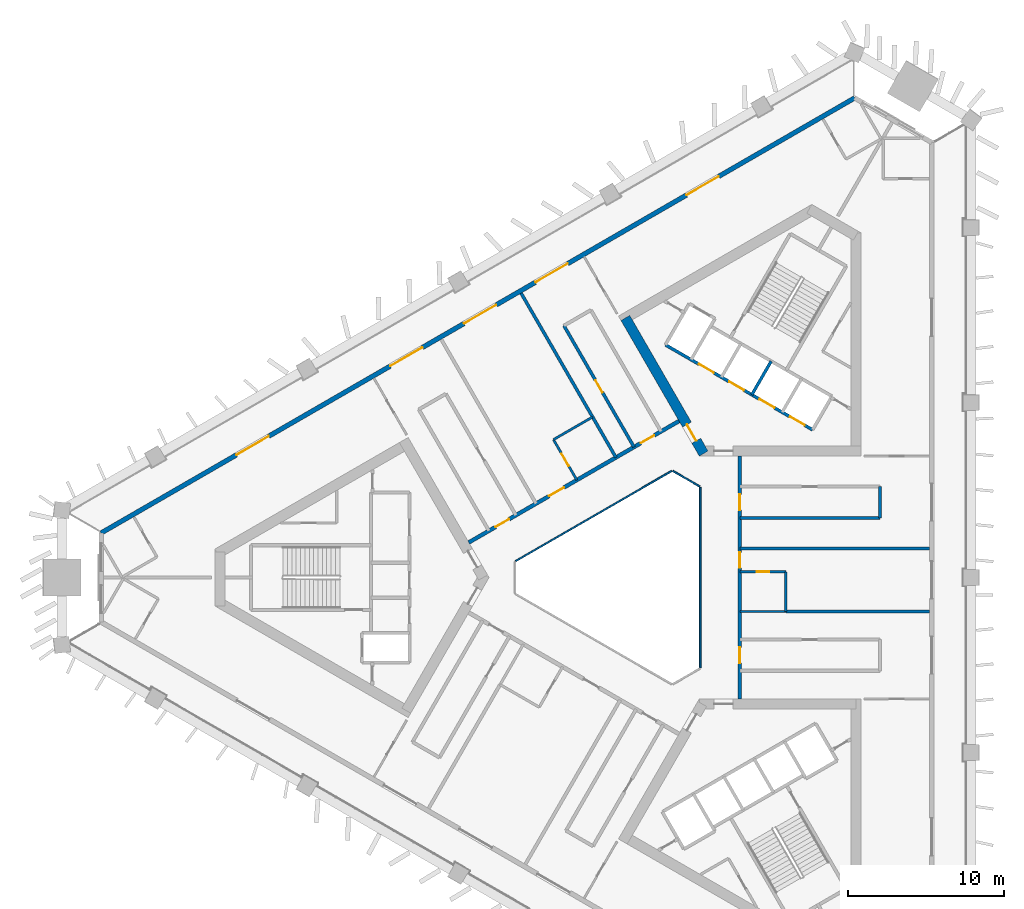
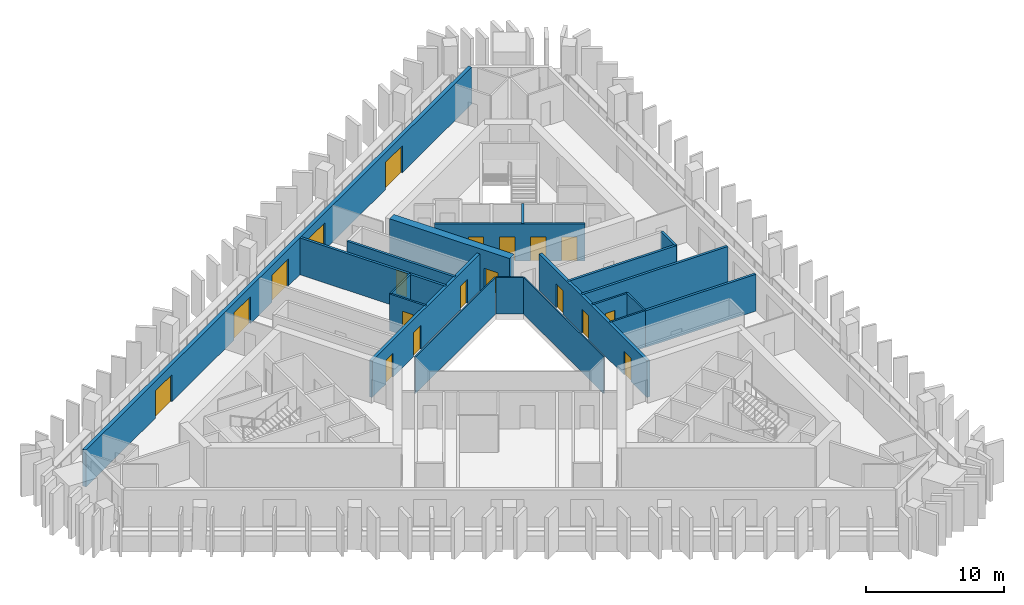
# One storey, part 5 of 11: 20 walls, 19 doors, 19 openings.
"""IFC4 building model written with IfcOpenShell, lengths in metres."""

from ifc_helpers import new_model, si_unit, direction, frame, frame_2d, origin, place, context, subcontext, project, spatial, rectangle, extrude, material, layer, layer_set, type_object, element, fill, save


model = new_model("IFC4")

# Units and contexts
model_context = context("Model", 3, precision=1e-05, world=origin(), true_north=direction((0.0, 1.0)))
body_context = subcontext(model_context, "Body", "Model", "MODEL_VIEW")
ifc_project = project(units=[si_unit("LENGTHUNIT", "METRE"), si_unit("AREAUNIT", "SQUARE_METRE"), si_unit("VOLUMEUNIT", "CUBIC_METRE"), si_unit("PLANEANGLEUNIT", "RADIAN"), si_unit("MASSUNIT", "GRAM", prefix="KILO")], contexts=[model_context])

# Site, building, storey
site_placement = place(None, origin())
site = spatial("IfcSite", under=ifc_project, at=site_placement, CompositionType="ELEMENT")
building_placement = place(site_placement, origin())
building = spatial("IfcBuilding", under=site, at=building_placement, Name="Jabali Bay Hotel Tower and Convention Centre", CompositionType="ELEMENT")
storey_placement = place(building_placement, frame((0.0, 0.0, 132.699951171875)))
storey = spatial("IfcBuildingStorey", under=building, at=storey_placement, Name="L32", CompositionType="ELEMENT", Elevation=132.699951171875)

# Walls
ifc_material_1 = material(Name="Fire-resistant glazing", Category="glass")
ifc_layer_1 = layer(ifc_material_1, 0.10009765625)
ifc_layer_set_1 = layer_set([ifc_layer_1], Name="Fire-resistant glazing")
wall_type_1 = type_object("IfcWallType", Name="Atrium glazed screen 100", PredefinedType="PARTITIONING", material=ifc_layer_set_1)
wall_1_placement = place(storey_placement, frame((79.56005859375, 74.205810546875, 0.0), z_axis=(0.0, 0.0, 1.0), x_axis=(0.0, 1.0, 0.0)))
element("IfcWall", 1, at=wall_1_placement, inside=storey, type_object=wall_type_1, Name="Atrium screen 1 L32", PredefinedType="PARTITIONING", context=body_context, shape_type="SweptSolid", body=[
    extrude(rectangle(XDim=11.58837890625, YDim=0.10009765625, at=frame_2d((5.794189453125, 0.0))), origin(), (0.0, 0.0, 1.0), 3.25),
])
wall_2_placement = place(storey_placement, frame((79.530029296875, 85.84619140625, 0.0), z_axis=(0.0, 0.0, 1.0), x_axis=(-0.866041268327, 0.499972520799, 0.0)))
element("IfcWall", 2, at=wall_2_placement, inside=storey, type_object=wall_type_1, Name="Atrium screen 2 L32", PredefinedType="PARTITIONING", context=body_context, shape_type="SweptSolid", body=[
    extrude(rectangle(XDim=2.0, YDim=0.10009765625, at=frame_2d((1.0, 0.0))), origin(), (0.0, 0.0, 1.0), 3.25),
])
wall_3_placement = place(storey_placement, frame((77.738037109375, 86.84619140625, 0.0), z_axis=(0.0, 0.0, 1.0), x_axis=(-0.866026658274, -0.499997827154, 0.0)))
element("IfcWall", 3, at=wall_3_placement, inside=storey, type_object=wall_type_1, Name="Atrium screen 3 L32", PredefinedType="PARTITIONING", context=body_context, shape_type="SweptSolid", body=[
    extrude(rectangle(XDim=11.58837890625, YDim=0.10009765625, at=frame_2d((5.794189453125, 0.0))), origin(), (0.0, 0.0, 1.0), 3.25),
])
ifc_material_2 = material(Name="Concrete C40", Category="concrete")
ifc_layer_2 = layer(ifc_material_2, 0.199951171875)
ifc_layer_set_2 = layer_set([ifc_layer_2], Name="Concrete C40")
wall_type_2 = type_object("IfcWallType", Name="Core stair wall 200", PredefinedType="SOLIDWALL", material=ifc_layer_set_2)
wall_4_placement = place(storey_placement, frame((82.872802734375, 91.73583984375, 0.0), z_axis=(0.0, 0.0, 1.0), x_axis=(0.499961042966, 0.86604789447, 0.0)))
element("IfcWall", 4, at=wall_4_placement, inside=storey, type_object=wall_type_2, Name="Core wall 1.4 L32", PredefinedType="SOLIDWALL", context=body_context, shape_type="SweptSolid", body=[
    extrude(rectangle(XDim=2.480224609375, YDim=0.199951171875, at=frame_2d((1.240234375, 0.0))), origin(), (0.0, 0.0, 1.0), 3.25),
])

# Wall, openings, doors
wall_5_placement = place(storey_placement, frame((86.769775390625, 89.48583984375, 0.0), z_axis=(0.0, 0.0, 1.0), x_axis=(-0.86601811187, 0.500012629753, 0.0)))
wall_5 = element("IfcWall", 5, at=wall_5_placement, inside=storey, type_object=wall_type_2, Name="Core wall 1.10 L32", PredefinedType="SOLIDWALL", context=body_context, shape_type="SweptSolid", body=[
    extrude(rectangle(XDim=10.900146484375, YDim=0.199951171875, at=frame_2d((5.4501953125, 0.0))), origin(), (0.0, 0.0, 1.0), 3.25),
])
opening_1_placement = place(wall_5_placement, frame((0.574951171875, 0.0, 0.0)))
opening_1 = element("IfcOpeningElement", 6, at=opening_1_placement, cuts=wall_5, Name="Opening LD6-L32", PredefinedType="OPENING", context=body_context, shape_type="SweptSolid", body=[
    extrude(rectangle(XDim=1.10009765625, YDim=2.10009765625, at=frame_2d((0.550048828125, 1.050048828125))), frame((0.0, 0.1103515625, 0.0), z_axis=(0.0, -1.0, 0.0), x_axis=(1.0, 0.0, 0.0)), (0.0, 0.0, 1.0), 0.220947265625),
])
opening_2_placement = place(wall_5_placement, frame((2.824951171875, 0.0, 0.0)))
opening_2 = element("IfcOpeningElement", 7, at=opening_2_placement, cuts=wall_5, Name="Opening LD7-L32", PredefinedType="OPENING", context=body_context, shape_type="SweptSolid", body=[
    extrude(rectangle(XDim=1.10009765625, YDim=2.10009765625, at=frame_2d((0.550048828125, 1.050048828125))), frame((0.0, 0.1103515625, 0.0), z_axis=(0.0, -1.0, 0.0), x_axis=(1.0, 0.0, 0.0)), (0.0, 0.0, 1.0), 0.220947265625),
])
opening_3_placement = place(wall_5_placement, frame((5.074951171875, 0.0, 0.0)))
opening_3 = element("IfcOpeningElement", 8, at=opening_3_placement, cuts=wall_5, Name="Opening LD8-L32", PredefinedType="OPENING", context=body_context, shape_type="SweptSolid", body=[
    extrude(rectangle(XDim=1.10009765625, YDim=2.10009765625, at=frame_2d((0.550048828125, 1.050048828125))), frame((0.0, 0.1103515625, 0.0), z_axis=(0.0, -1.0, 0.0), x_axis=(1.0, 0.0, 0.0)), (0.0, 0.0, 1.0), 0.220947265625),
])
opening_4_placement = place(wall_5_placement, frame((7.324951171875, 0.0, 0.0)))
opening_4 = element("IfcOpeningElement", 9, at=opening_4_placement, cuts=wall_5, Name="Opening LD9-L32", PredefinedType="OPENING", context=body_context, shape_type="SweptSolid", body=[
    extrude(rectangle(XDim=1.10009765625, YDim=2.10009765625, at=frame_2d((0.550048828125, 1.050048828125))), frame((0.0, 0.1103515625, 0.0), z_axis=(0.0, -1.0, 0.0), x_axis=(1.0, 0.0, 0.0)), (0.0, 0.0, 1.0), 0.220947265625),
])
ifc_material_3 = material(Name="Stainless steel landing door", Category="steel")
door_type_1 = type_object("IfcDoorType", Name="Landing door 1100 x 2100", OperationType="NOTDEFINED", PredefinedType="NOTDEFINED", material=ifc_material_3)
door_1_placement = place(opening_1_placement, origin())
door_1 = element("IfcDoor", 10, at=door_1_placement, inside=storey, type_object=door_type_1, Name="Landing doors LD6-L32", OperationType="SLIDING_TO_RIGHT", OverallHeight=2.10009765625, OverallWidth=1.10009765625, PredefinedType="NOTDEFINED", context=body_context, shape_type="SweptSolid", body=[
    extrude(rectangle(XDim=1.10009765625, YDim=2.10009765625, at=frame_2d((0.550048828125, 1.050048828125))), frame((0.0, 0.02490234375, 0.0), z_axis=(0.0, -1.0, 0.0), x_axis=(1.0, 0.0, 0.0)), (0.0, 0.0, 1.0), 0.050048828125),
])
fill(opening_1, door_1)
door_2_placement = place(opening_2_placement, origin())
door_2 = element("IfcDoor", 11, at=door_2_placement, inside=storey, type_object=door_type_1, Name="Landing doors LD7-L32", OperationType="SLIDING_TO_LEFT", OverallHeight=2.10009765625, OverallWidth=1.10009765625, PredefinedType="NOTDEFINED", context=body_context, shape_type="SweptSolid", body=[
    extrude(rectangle(XDim=1.10009765625, YDim=2.10009765625, at=frame_2d((0.550048828125, 1.050048828125))), frame((0.0, 0.02490234375, 0.0), z_axis=(0.0, -1.0, 0.0), x_axis=(1.0, 0.0, 0.0)), (0.0, 0.0, 1.0), 0.050048828125),
])
fill(opening_2, door_2)
door_3_placement = place(opening_3_placement, origin())
door_3 = element("IfcDoor", 12, at=door_3_placement, inside=storey, type_object=door_type_1, Name="Landing doors LD8-L32", OperationType="SLIDING_TO_RIGHT", OverallHeight=2.10009765625, OverallWidth=1.10009765625, PredefinedType="NOTDEFINED", context=body_context, shape_type="SweptSolid", body=[
    extrude(rectangle(XDim=1.10009765625, YDim=2.10009765625, at=frame_2d((0.550048828125, 1.050048828125))), frame((0.0, 0.02490234375, 0.0), z_axis=(0.0, -1.0, 0.0), x_axis=(1.0, 0.0, 0.0)), (0.0, 0.0, 1.0), 0.050048828125),
])
fill(opening_3, door_3)
door_4_placement = place(opening_4_placement, origin())
door_4 = element("IfcDoor", 13, at=door_4_placement, inside=storey, type_object=door_type_1, Name="Landing doors LD9-L32", OperationType="SLIDING_TO_LEFT", OverallHeight=2.10009765625, OverallWidth=1.10009765625, PredefinedType="NOTDEFINED", context=body_context, shape_type="SweptSolid", body=[
    extrude(rectangle(XDim=1.10009765625, YDim=2.10009765625, at=frame_2d((0.550048828125, 1.050048828125))), frame((0.0, 0.02490234375, 0.0), z_axis=(0.0, -1.0, 0.0), x_axis=(1.0, 0.0, 0.0)), (0.0, 0.0, 1.0), 0.050048828125),
])
fill(opening_4, door_4)

# Wall, opening, door
ifc_material_4 = material(Name="Concrete C60", Category="concrete")
ifc_layer_3 = layer(ifc_material_4, 0.64990234375)
ifc_layer_set_3 = layer_set([ifc_layer_3], Name="Concrete C60")
wall_type_3 = type_object("IfcWallType", Name="Core wall 650", PredefinedType="SHEAR", material=ifc_layer_set_3)
wall_6_placement = place(storey_placement, frame((74.75390625, 96.66455078125, 0.0), z_axis=(0.0, 0.0, 1.0), x_axis=(0.500011799426, -0.866018591275, 0.0)))
wall_6 = element("IfcWall", 14, at=wall_6_placement, inside=storey, type_object=wall_type_3, Name="Core wall 2.5 L32", PredefinedType="SHEAR", context=body_context, shape_type="SweptSolid", body=[
    extrude(rectangle(XDim=10.054931640625, YDim=0.64990234375, at=frame_2d((5.02734375, 0.0))), origin(), (0.0, 0.0, 1.0), 3.699951171875),
])
opening_5_placement = place(wall_6_placement, frame((7.905029296875, 0.0, 0.0)))
opening_5 = element("IfcOpeningElement", 15, at=opening_5_placement, cuts=wall_6, Name="Opening D711", PredefinedType="OPENING", context=body_context, shape_type="SweptSolid", body=[
    extrude(rectangle(XDim=1.199951171875, YDim=2.10009765625, at=frame_2d((0.60009765625, 1.050048828125))), frame((0.0, 0.33544921875, 0.0), z_axis=(0.0, -1.0, 0.0), x_axis=(1.0, 0.0, 0.0)), (0.0, 0.0, 1.0), 0.6708984375),
])
ifc_material_5 = material(Name="Fire-rated steel door", Category="steel")
door_type_2 = type_object("IfcDoorType", Name="Corridor end fire door 1200 x 2100", OperationType="NOTDEFINED", PredefinedType="NOTDEFINED", material=ifc_material_5)
door_5_placement = place(opening_5_placement, origin())
door_5 = element("IfcDoor", 16, at=door_5_placement, inside=storey, type_object=door_type_2, Name="Corridor end fire door D711", OperationType="SINGLE_SWING_LEFT", OverallHeight=2.10009765625, OverallWidth=1.199951171875, PredefinedType="NOTDEFINED", context=body_context, shape_type="SweptSolid", body=[
    extrude(rectangle(XDim=1.199951171875, YDim=2.10009765625, at=frame_2d((0.60009765625, 1.050048828125))), frame((0.0, 0.02490234375, 0.0), z_axis=(0.0, -1.0, 0.0), x_axis=(1.0, 0.0, 0.0)), (0.0, 0.0, 1.0), 0.050048828125),
])
fill(opening_5, door_5)

# Wall, openings, doors
ifc_layer_4 = layer(ifc_material_4, 0.25)
ifc_layer_set_4 = layer_set([ifc_layer_4], Name="Concrete C60")
wall_type_4 = type_object("IfcWallType", Name="Corridor wall 250", PredefinedType="SHEAR", material=ifc_layer_set_4)
wall_7_placement = place(storey_placement, frame((82.10009765625, 72.205810546875, 0.0), z_axis=(0.0, 0.0, 1.0), x_axis=(0.0, 1.0, 0.0)))
wall_7 = element("IfcWall", 17, at=wall_7_placement, inside=storey, type_object=wall_type_4, Name="Corridor wall 1 L32", PredefinedType="SHEAR", context=body_context, shape_type="SweptSolid", body=[
    extrude(rectangle(XDim=15.58837890625, YDim=0.25, at=frame_2d((7.794189453125, 0.0))), origin(), (0.0, 0.0, 1.0), 3.25),
])
opening_6_placement = place(wall_7_placement, frame((2.305908203125, 0.0, 0.0)))
opening_6 = element("IfcOpeningElement", 18, at=opening_6_placement, cuts=wall_7, Name="Opening 3201", PredefinedType="OPENING", context=body_context, shape_type="SweptSolid", body=[
    extrude(rectangle(XDim=1.0, YDim=2.10009765625, at=frame_2d((0.5, 1.050048828125))), frame((0.0, 0.135498046875, 0.0), z_axis=(0.0, -1.0, 0.0), x_axis=(1.0, 0.0, 0.0)), (0.0, 0.0, 1.0), 0.27099609375),
])
opening_7_placement = place(wall_7_placement, frame((8.414794921875, 0.0, 0.0)))
opening_7 = element("IfcOpeningElement", 19, at=opening_7_placement, cuts=wall_7, Name="Opening 3206", PredefinedType="OPENING", context=body_context, shape_type="SweptSolid", body=[
    extrude(rectangle(XDim=1.0, YDim=2.10009765625, at=frame_2d((0.5, 1.050048828125))), frame((0.0, 0.135498046875, 0.0), z_axis=(0.0, -1.0, 0.0), x_axis=(1.0, 0.0, 0.0)), (0.0, 0.0, 1.0), 0.27099609375),
])
opening_8_placement = place(wall_7_placement, frame((12.126708984375, 0.0, 0.0)))
opening_8 = element("IfcOpeningElement", 20, at=opening_8_placement, cuts=wall_7, Name="Opening 3207", PredefinedType="OPENING", context=body_context, shape_type="SweptSolid", body=[
    extrude(rectangle(XDim=1.0, YDim=2.10009765625, at=frame_2d((0.5, 1.050048828125))), frame((0.0, 0.135498046875, 0.0), z_axis=(0.0, -1.0, 0.0), x_axis=(1.0, 0.0, 0.0)), (0.0, 0.0, 1.0), 0.27099609375),
])
ifc_material_6 = material(Name="Timber", Category="wood")
door_type_3 = type_object("IfcDoorType", Name="Guest room door 1000 x 2100", OperationType="NOTDEFINED", PredefinedType="NOTDEFINED", material=ifc_material_6)
door_6_placement = place(opening_6_placement, origin())
door_6 = element("IfcDoor", 21, at=door_6_placement, inside=storey, type_object=door_type_3, Name="Door 3201", OperationType="SINGLE_SWING_LEFT", OverallHeight=2.10009765625, OverallWidth=1.0, PredefinedType="NOTDEFINED", context=body_context, shape_type="SweptSolid", body=[
    extrude(rectangle(XDim=1.0, YDim=2.10009765625, at=frame_2d((0.5, 1.050048828125))), frame((0.0, 0.02490234375, 0.0), z_axis=(0.0, -1.0, 0.0), x_axis=(1.0, 0.0, 0.0)), (0.0, 0.0, 1.0), 0.050048828125),
])
fill(opening_6, door_6)
door_7_placement = place(opening_7_placement, origin())
door_7 = element("IfcDoor", 22, at=door_7_placement, inside=storey, type_object=door_type_3, Name="Door 3206", OperationType="SINGLE_SWING_RIGHT", OverallHeight=2.10009765625, OverallWidth=1.0, PredefinedType="NOTDEFINED", context=body_context, shape_type="SweptSolid", body=[
    extrude(rectangle(XDim=1.0, YDim=2.10009765625, at=frame_2d((0.5, 1.050048828125))), frame((0.0, 0.02490234375, 0.0), z_axis=(0.0, -1.0, 0.0), x_axis=(1.0, 0.0, 0.0)), (0.0, 0.0, 1.0), 0.050048828125),
])
fill(opening_7, door_7)
door_8_placement = place(opening_8_placement, origin())
door_8 = element("IfcDoor", 23, at=door_8_placement, inside=storey, type_object=door_type_3, Name="Door 3207", OperationType="SINGLE_SWING_RIGHT", OverallHeight=2.10009765625, OverallWidth=1.0, PredefinedType="NOTDEFINED", context=body_context, shape_type="SweptSolid", body=[
    extrude(rectangle(XDim=1.0, YDim=2.10009765625, at=frame_2d((0.5, 1.050048828125))), frame((0.0, 0.02490234375, 0.0), z_axis=(0.0, -1.0, 0.0), x_axis=(1.0, 0.0, 0.0)), (0.0, 0.0, 1.0), 0.050048828125),
])
fill(opening_8, door_8)

wall_8_placement = place(storey_placement, frame((78.199951171875, 90.0458984375, 0.0), z_axis=(0.0, 0.0, 1.0), x_axis=(-0.866026492143, -0.499998114903, 0.0)))
wall_8 = element("IfcWall", 24, at=wall_8_placement, inside=storey, type_object=wall_type_4, Name="Corridor wall 2 L32", PredefinedType="SHEAR", context=body_context, shape_type="SweptSolid", body=[
    extrude(rectangle(XDim=15.58837890625, YDim=0.25, at=frame_2d((7.794189453125, 0.0))), origin(), (0.0, 0.0, 1.0), 3.25),
])
opening_9_placement = place(wall_8_placement, frame((1.83837890625, 0.0, 0.0)))
opening_9 = element("IfcOpeningElement", 25, at=opening_9_placement, cuts=wall_8, Name="Opening 3211", PredefinedType="OPENING", context=body_context, shape_type="SweptSolid", body=[
    extrude(rectangle(XDim=1.0, YDim=2.10009765625, at=frame_2d((0.5, 1.050048828125))), frame((0.0, 0.135498046875, 0.0), z_axis=(0.0, -1.0, 0.0), x_axis=(1.0, 0.0, 0.0)), (0.0, 0.0, 1.0), 0.27099609375),
])
opening_10_placement = place(wall_8_placement, frame((8.538330078125, 0.0, 0.0)))
opening_10 = element("IfcOpeningElement", 26, at=opening_10_placement, cuts=wall_8, Name="Opening 3216", PredefinedType="OPENING", context=body_context, shape_type="SweptSolid", body=[
    extrude(rectangle(XDim=1.10009765625, YDim=2.10009765625, at=frame_2d((0.550048828125, 1.050048828125))), frame((0.0, 0.135498046875, 0.0), z_axis=(0.0, -1.0, 0.0), x_axis=(1.0, 0.0, 0.0)), (0.0, 0.0, 1.0), 0.27099609375),
])
opening_11_placement = place(wall_8_placement, frame((12.59423828125, 0.0, 0.0)))
opening_11 = element("IfcOpeningElement", 27, at=opening_11_placement, cuts=wall_8, Name="Opening 3217", PredefinedType="OPENING", context=body_context, shape_type="SweptSolid", body=[
    extrude(rectangle(XDim=1.0, YDim=2.10009765625, at=frame_2d((0.5, 1.050048828125))), frame((0.0, 0.135498046875, 0.0), z_axis=(0.0, -1.0, 0.0), x_axis=(1.0, 0.0, 0.0)), (0.0, 0.0, 1.0), 0.27099609375),
])
door_type_4 = type_object("IfcDoorType", Name="Accessible guest room door 1100 x 2100", OperationType="NOTDEFINED", PredefinedType="NOTDEFINED", material=ifc_material_6)
door_9_placement = place(opening_10_placement, origin())
door_9 = element("IfcDoor", 28, at=door_9_placement, inside=storey, type_object=door_type_4, Name="Door 3216", OperationType="SINGLE_SWING_RIGHT", OverallHeight=2.10009765625, OverallWidth=1.10009765625, PredefinedType="NOTDEFINED", context=body_context, shape_type="SweptSolid", body=[
    extrude(rectangle(XDim=1.10009765625, YDim=2.10009765625, at=frame_2d((0.550048828125, 1.050048828125))), frame((0.0, 0.02490234375, 0.0), z_axis=(0.0, -1.0, 0.0), x_axis=(1.0, 0.0, 0.0)), (0.0, 0.0, 1.0), 0.050048828125),
])
fill(opening_10, door_9)
door_10_placement = place(opening_9_placement, origin())
door_10 = element("IfcDoor", 29, at=door_10_placement, inside=storey, type_object=door_type_3, Name="Door 3211", OperationType="SINGLE_SWING_LEFT", OverallHeight=2.10009765625, OverallWidth=1.0, PredefinedType="NOTDEFINED", context=body_context, shape_type="SweptSolid", body=[
    extrude(rectangle(XDim=1.0, YDim=2.10009765625, at=frame_2d((0.5, 1.050048828125))), frame((0.0, 0.02490234375, 0.0), z_axis=(0.0, -1.0, 0.0), x_axis=(1.0, 0.0, 0.0)), (0.0, 0.0, 1.0), 0.050048828125),
])
fill(opening_9, door_10)
door_11_placement = place(opening_11_placement, origin())
door_11 = element("IfcDoor", 30, at=door_11_placement, inside=storey, type_object=door_type_3, Name="Door 3217", OperationType="SINGLE_SWING_RIGHT", OverallHeight=2.10009765625, OverallWidth=1.0, PredefinedType="NOTDEFINED", context=body_context, shape_type="SweptSolid", body=[
    extrude(rectangle(XDim=1.0, YDim=2.10009765625, at=frame_2d((0.5, 1.050048828125))), frame((0.0, 0.02490234375, 0.0), z_axis=(0.0, -1.0, 0.0), x_axis=(1.0, 0.0, 0.0)), (0.0, 0.0, 1.0), 0.050048828125),
])
fill(opening_11, door_11)

ifc_layer_5 = layer(ifc_material_2, 0.300048828125)
ifc_layer_set_5 = layer_set([ifc_layer_5], Name="Concrete C40")
wall_type_5 = type_object("IfcWallType", Name="External wall 300", PredefinedType="SOLIDWALL", material=ifc_layer_set_5)
wall_9_placement = place(storey_placement, frame((41.096923828125, 82.85791015625, 0.0), z_axis=(0.0, 0.0, 1.0), x_axis=(0.866026276916, 0.499998487688, 0.0)))
wall_9 = element("IfcWall", 31, at=wall_9_placement, inside=storey, type_object=wall_type_5, Name="External wall north-west face L32", PredefinedType="SOLIDWALL", context=body_context, shape_type="SweptSolid", body=[
    extrude(rectangle(XDim=55.864013671875, YDim=0.300048828125, at=frame_2d((27.93212890625, 0.0))), origin(), (0.0, 0.0, 1.0), 3.25),
])
opening_12_placement = place(wall_9_placement, frame((26.887939453125, 0.0, 0.0)))
opening_12 = element("IfcOpeningElement", 32, at=opening_12_placement, cuts=wall_9, Name="Opening SD1", PredefinedType="OPENING", context=body_context, shape_type="SweptSolid", body=[
    extrude(rectangle(XDim=2.39990234375, YDim=2.39990234375, at=frame_2d((1.199951171875, 1.199951171875))), frame((0.0, 0.16064453125, 0.0), z_axis=(0.0, -1.0, 0.0), x_axis=(1.0, 0.0, 0.0)), (0.0, 0.0, 1.0), 0.321044921875),
])
opening_13_placement = place(wall_9_placement, frame((32.18798828125, 0.0, 0.0)))
opening_13 = element("IfcOpeningElement", 33, at=opening_13_placement, cuts=wall_9, Name="Opening SD1", PredefinedType="OPENING", context=body_context, shape_type="SweptSolid", body=[
    extrude(rectangle(XDim=2.39990234375, YDim=2.39990234375, at=frame_2d((1.199951171875, 1.199951171875))), frame((0.0, 0.16064453125, 0.0), z_axis=(0.0, -1.0, 0.0), x_axis=(1.0, 0.0, 0.0)), (0.0, 0.0, 1.0), 0.321044921875),
])
opening_14_placement = place(wall_9_placement, frame((43.383544921875, 0.0, 0.0)))
opening_14 = element("IfcOpeningElement", 34, at=opening_14_placement, cuts=wall_9, Name="Opening SD1", PredefinedType="OPENING", context=body_context, shape_type="SweptSolid", body=[
    extrude(rectangle(XDim=2.39990234375, YDim=2.39990234375, at=frame_2d((1.199951171875, 1.199951171875))), frame((0.0, 0.16064453125, 0.0), z_axis=(0.0, -1.0, 0.0), x_axis=(1.0, 0.0, 0.0)), (0.0, 0.0, 1.0), 0.321044921875),
])
opening_15_placement = place(wall_9_placement, frame((21.431884765625, 0.0, 0.0)))
opening_15 = element("IfcOpeningElement", 35, at=opening_15_placement, cuts=wall_9, Name="Opening SD1", PredefinedType="OPENING", context=body_context, shape_type="SweptSolid", body=[
    extrude(rectangle(XDim=2.39990234375, YDim=2.39990234375, at=frame_2d((1.199951171875, 1.199951171875))), frame((0.0, 0.16064453125, 0.0), z_axis=(0.0, -1.0, 0.0), x_axis=(1.0, 0.0, 0.0)), (0.0, 0.0, 1.0), 0.321044921875),
])
opening_16_placement = place(wall_9_placement, frame((10.02880859375, 0.0, 0.0)))
opening_16 = element("IfcOpeningElement", 36, at=opening_16_placement, cuts=wall_9, Name="Opening SD1", PredefinedType="OPENING", context=body_context, shape_type="SweptSolid", body=[
    extrude(rectangle(XDim=2.39990234375, YDim=2.39990234375, at=frame_2d((1.199951171875, 1.199951171875))), frame((0.0, 0.16064453125, 0.0), z_axis=(0.0, -1.0, 0.0), x_axis=(1.0, 0.0, 0.0)), (0.0, 0.0, 1.0), 0.321044921875),
])
ifc_material_7 = material(Name="Glass", Category="glass")
door_type_5 = type_object("IfcDoorType", Name="Loggia sliding door 2400 x 2400", OperationType="NOTDEFINED", PredefinedType="NOTDEFINED", material=ifc_material_7)
door_12_placement = place(opening_12_placement, origin())
door_12 = element("IfcDoor", 37, at=door_12_placement, inside=storey, type_object=door_type_5, Name="Loggia sliding door 3208", OperationType="SLIDING_TO_LEFT", OverallHeight=2.39990234375, OverallWidth=2.39990234375, PredefinedType="NOTDEFINED", context=body_context, shape_type="SweptSolid", body=[
    extrude(rectangle(XDim=2.39990234375, YDim=2.39990234375, at=frame_2d((1.199951171875, 1.199951171875))), frame((0.0, 0.02490234375, 0.0), z_axis=(0.0, -1.0, 0.0), x_axis=(1.0, 0.0, 0.0)), (0.0, 0.0, 1.0), 0.050048828125),
])
fill(opening_12, door_12)
door_13_placement = place(opening_13_placement, origin())
door_13 = element("IfcDoor", 38, at=door_13_placement, inside=storey, type_object=door_type_5, Name="Loggia sliding door 3206", OperationType="SLIDING_TO_RIGHT", OverallHeight=2.39990234375, OverallWidth=2.39990234375, PredefinedType="NOTDEFINED", context=body_context, shape_type="SweptSolid", body=[
    extrude(rectangle(XDim=2.39990234375, YDim=2.39990234375, at=frame_2d((1.199951171875, 1.199951171875))), frame((0.0, 0.02490234375, 0.0), z_axis=(0.0, -1.0, 0.0), x_axis=(1.0, 0.0, 0.0)), (0.0, 0.0, 1.0), 0.050048828125),
])
fill(opening_13, door_13)
door_14_placement = place(opening_14_placement, origin())
door_14 = element("IfcDoor", 39, at=door_14_placement, inside=storey, type_object=door_type_5, Name="Loggia sliding door 3206", OperationType="SLIDING_TO_LEFT", OverallHeight=2.39990234375, OverallWidth=2.39990234375, PredefinedType="NOTDEFINED", context=body_context, shape_type="SweptSolid", body=[
    extrude(rectangle(XDim=2.39990234375, YDim=2.39990234375, at=frame_2d((1.199951171875, 1.199951171875))), frame((0.0, 0.02490234375, 0.0), z_axis=(0.0, -1.0, 0.0), x_axis=(1.0, 0.0, 0.0)), (0.0, 0.0, 1.0), 0.050048828125),
])
fill(opening_14, door_14)
door_15_placement = place(opening_15_placement, origin())
door_15 = element("IfcDoor", 40, at=door_15_placement, inside=storey, type_object=door_type_5, Name="Loggia sliding door 3209", OperationType="SLIDING_TO_RIGHT", OverallHeight=2.39990234375, OverallWidth=2.39990234375, PredefinedType="NOTDEFINED", context=body_context, shape_type="SweptSolid", body=[
    extrude(rectangle(XDim=2.39990234375, YDim=2.39990234375, at=frame_2d((1.199951171875, 1.199951171875))), frame((0.0, 0.02490234375, 0.0), z_axis=(0.0, -1.0, 0.0), x_axis=(1.0, 0.0, 0.0)), (0.0, 0.0, 1.0), 0.050048828125),
])
fill(opening_15, door_15)
door_16_placement = place(opening_16_placement, origin())
door_16 = element("IfcDoor", 41, at=door_16_placement, inside=storey, type_object=door_type_5, Name="Loggia sliding door 3209", OperationType="SLIDING_TO_LEFT", OverallHeight=2.39990234375, OverallWidth=2.39990234375, PredefinedType="NOTDEFINED", context=body_context, shape_type="SweptSolid", body=[
    extrude(rectangle(XDim=2.39990234375, YDim=2.39990234375, at=frame_2d((1.199951171875, 1.199951171875))), frame((0.0, 0.02490234375, 0.0), z_axis=(0.0, -1.0, 0.0), x_axis=(1.0, 0.0, 0.0)), (0.0, 0.0, 1.0), 0.050048828125),
])
fill(opening_16, door_16)

# Wall
ifc_material_8 = material(Name="Plasterboard on steel stud", Category="steel")
ifc_layer_6 = layer(ifc_material_8, 0.14990234375)
ifc_layer_set_6 = layer_set([ifc_layer_6], Name="Plasterboard on steel stud")
wall_type_6 = type_object("IfcWallType", Name="Partition 150 wet", PredefinedType="PARTITIONING", material=ifc_layer_set_6)
wall_10_placement = place(storey_placement, frame((85.053466796875, 77.817626953125, 0.0), z_axis=(0.0, 0.0, 1.0), x_axis=(-1.0, 0.0, 0.0)))
element("IfcWall", 42, at=wall_10_placement, inside=storey, type_object=wall_type_6, Name="Partition P03 L32 006", PredefinedType="PARTITIONING", context=body_context, shape_type="SweptSolid", body=[
    extrude(rectangle(XDim=2.953369140625, YDim=0.14990234375, at=frame_2d((1.4765625, 0.0))), origin(), (0.0, 0.0, 1.0), 3.25),
])

# Wall, opening, door
wall_11_placement = place(storey_placement, frame((82.10009765625, 80.37060546875, 0.0), z_axis=(0.0, 0.0, 1.0), x_axis=(1.0, 0.0, 0.0)))
wall_11 = element("IfcWall", 43, at=wall_11_placement, inside=storey, type_object=wall_type_6, Name="Partition P03 L32 011", PredefinedType="PARTITIONING", context=body_context, shape_type="SweptSolid", body=[
    extrude(rectangle(XDim=2.953369140625, YDim=0.14990234375, at=frame_2d((1.4765625, 0.0))), origin(), (0.0, 0.0, 1.0), 3.25),
])
opening_17_placement = place(wall_11_placement, frame((1.076904296875, 0.0, 0.0)))
opening_17 = element("IfcOpeningElement", 44, at=opening_17_placement, cuts=wall_11, Name="Opening 3205", PredefinedType="OPENING", context=body_context, shape_type="SweptSolid", body=[
    extrude(rectangle(XDim=0.800048828125, YDim=2.10009765625, at=frame_2d((0.39990234375, 1.050048828125))), frame((0.0, 0.08544921875, 0.0), z_axis=(0.0, -1.0, 0.0), x_axis=(1.0, 0.0, 0.0)), (0.0, 0.0, 1.0), 0.1708984375),
])
door_type_6 = type_object("IfcDoorType", Name="En-suite door 800 x 2100", OperationType="NOTDEFINED", PredefinedType="NOTDEFINED", material=ifc_material_6)
door_17_placement = place(opening_17_placement, origin())
door_17 = element("IfcDoor", 45, at=door_17_placement, inside=storey, type_object=door_type_6, Name="Door 3205", OperationType="SINGLE_SWING_RIGHT", OverallHeight=2.10009765625, OverallWidth=0.800048828125, PredefinedType="NOTDEFINED", context=body_context, shape_type="SweptSolid", body=[
    extrude(rectangle(XDim=0.800048828125, YDim=2.10009765625, at=frame_2d((0.39990234375, 1.050048828125))), frame((0.0, 0.02490234375, 0.0), z_axis=(0.0, -1.0, 0.0), x_axis=(1.0, 0.0, 0.0)), (0.0, 0.0, 1.0), 0.050048828125),
])
fill(opening_17, door_17)

# Wall
wall_12_placement = place(storey_placement, frame((85.053466796875, 80.37060546875, 0.0), z_axis=(0.0, 0.0, 1.0), x_axis=(0.0, -1.0, 0.0)))
element("IfcWall", 46, at=wall_12_placement, inside=storey, type_object=wall_type_6, Name="Partition P03 L32 012", PredefinedType="PARTITIONING", context=body_context, shape_type="SweptSolid", body=[
    extrude(rectangle(XDim=2.552978515625, YDim=0.14990234375, at=frame_2d((1.2763671875, 0.0))), origin(), (0.0, 0.0, 1.0), 3.25),
])

# Wall, opening, door
wall_13_placement = place(storey_placement, frame((71.638427734375, 86.257568359375, 0.0), z_axis=(0.0, 0.0, 1.0), x_axis=(-0.499990139034, 0.866031096941, 0.0)))
wall_13 = element("IfcWall", 47, at=wall_13_placement, inside=storey, type_object=wall_type_6, Name="Partition P03 L32 030", PredefinedType="PARTITIONING", context=body_context, shape_type="SweptSolid", body=[
    extrude(rectangle(XDim=3.0, YDim=0.14990234375, at=frame_2d((1.5, 0.0))), origin(), (0.0, 0.0, 1.0), 3.25),
])
opening_18_placement = place(wall_13_placement, frame((1.050048828125, 0.0, 0.0)))
opening_18 = element("IfcOpeningElement", 48, at=opening_18_placement, cuts=wall_13, Name="Opening 3215", PredefinedType="OPENING", context=body_context, shape_type="SweptSolid", body=[
    extrude(rectangle(XDim=0.89990234375, YDim=2.10009765625, at=frame_2d((0.449951171875, 1.050048828125))), frame((0.0, 0.08544921875, 0.0), z_axis=(0.0, -1.0, 0.0), x_axis=(1.0, 0.0, 0.0)), (0.0, 0.0, 1.0), 0.1708984375),
])
door_type_7 = type_object("IfcDoorType", Name="Accessible en-suite door 900 x 2100", OperationType="NOTDEFINED", PredefinedType="NOTDEFINED", material=ifc_material_6)
door_18_placement = place(opening_18_placement, origin())
door_18 = element("IfcDoor", 49, at=door_18_placement, inside=storey, type_object=door_type_7, Name="Door 3215", OperationType="SINGLE_SWING_LEFT", OverallHeight=2.10009765625, OverallWidth=0.89990234375, PredefinedType="NOTDEFINED", context=body_context, shape_type="SweptSolid", body=[
    extrude(rectangle(XDim=0.89990234375, YDim=2.10009765625, at=frame_2d((0.449951171875, 1.050048828125))), frame((0.0, 0.02490234375, 0.0), z_axis=(0.0, -1.0, 0.0), x_axis=(1.0, 0.0, 0.0)), (0.0, 0.0, 1.0), 0.050048828125),
])
fill(opening_18, door_18)

# Walls
wall_14_placement = place(storey_placement, frame((70.138427734375, 88.855712890625, 0.0), z_axis=(0.0, 0.0, 1.0), x_axis=(0.866032775405, 0.499987231761, 0.0)))
element("IfcWall", 50, at=wall_14_placement, inside=storey, type_object=wall_type_6, Name="Partition P03 L32 031", PredefinedType="PARTITIONING", context=body_context, shape_type="SweptSolid", body=[
    extrude(rectangle(XDim=2.89990234375, YDim=0.14990234375, at=frame_2d((1.449951171875, 0.0))), origin(), (0.0, 0.0, 1.0), 3.25),
])
ifc_layer_7 = layer(ifc_material_8, 0.199951171875)
ifc_layer_set_7 = layer_set([ifc_layer_7], Name="Plasterboard on steel stud")
wall_type_7 = type_object("IfcWallType", Name="Partition 200 party", PredefinedType="PARTITIONING", material=ifc_layer_set_7)
wall_15_placement = place(storey_placement, frame((94.277587890625, 77.817626953125, 0.0), z_axis=(0.0, 0.0, 1.0), x_axis=(-1.0, 0.0, 0.0)))
element("IfcWall", 51, at=wall_15_placement, inside=storey, type_object=wall_type_7, Name="Partition P01 L32 005", PredefinedType="PARTITIONING", context=body_context, shape_type="SweptSolid", body=[
    extrude(rectangle(XDim=9.22412109375, YDim=0.199951171875, at=frame_2d((4.612060546875, 0.0))), origin(), (0.0, 0.0, 1.0), 3.25),
])
wall_16_placement = place(storey_placement, frame((94.277587890625, 81.87060546875, 0.0), z_axis=(0.0, 0.0, 1.0), x_axis=(-1.0, 0.0, 0.0)))
element("IfcWall", 52, at=wall_16_placement, inside=storey, type_object=wall_type_7, Name="Partition P01 L32 013", PredefinedType="PARTITIONING", context=body_context, shape_type="SweptSolid", body=[
    extrude(rectangle(XDim=12.177490234375, YDim=0.199951171875, at=frame_2d((6.0888671875, 0.0))), origin(), (0.0, 0.0, 1.0), 3.25),
])
wall_17_placement = place(storey_placement, frame((91.10009765625, 85.83251953125, 0.0), z_axis=(0.0, 0.0, 1.0), x_axis=(0.0, -1.0, 0.0)))
element("IfcWall", 53, at=wall_17_placement, inside=storey, type_object=wall_type_7, Name="Partition P01 L32 016", PredefinedType="PARTITIONING", context=body_context, shape_type="SweptSolid", body=[
    extrude(rectangle(XDim=2.0, YDim=0.199951171875, at=frame_2d((1.0, 0.0))), origin(), (0.0, 0.0, 1.0), 3.25),
])
wall_18_placement = place(storey_placement, frame((91.10009765625, 83.83251953125, 0.0), z_axis=(0.0, 0.0, 1.0), x_axis=(-1.0, 0.0, 0.0)))
element("IfcWall", 54, at=wall_18_placement, inside=storey, type_object=wall_type_7, Name="Partition P01 L32 017", PredefinedType="PARTITIONING", context=body_context, shape_type="SweptSolid", body=[
    extrude(rectangle(XDim=9.0, YDim=0.199951171875, at=frame_2d((4.5, 0.0))), origin(), (0.0, 0.0, 1.0), 3.25),
])

# Wall, opening, door
wall_19_placement = place(storey_placement, frame((75.30908203125, 88.376708984375, 0.0), z_axis=(0.0, 0.0, 1.0), x_axis=(-0.5000018851, 0.866024315419, 0.0)))
wall_19 = element("IfcWall", 55, at=wall_19_placement, inside=storey, type_object=wall_type_7, Name="Partition P01 L32 023", PredefinedType="PARTITIONING", context=body_context, shape_type="SweptSolid", body=[
    extrude(rectangle(XDim=9.0, YDim=0.199951171875, at=frame_2d((4.5, 0.0))), origin(), (0.0, 0.0, 1.0), 3.25),
])
opening_19_placement = place(wall_19_placement, frame((4.050048828125, 0.0, 0.0)))
opening_19 = element("IfcOpeningElement", 56, at=opening_19_placement, cuts=wall_19, Name="Opening 3214", PredefinedType="OPENING", context=body_context, shape_type="SweptSolid", body=[
    extrude(rectangle(XDim=0.89990234375, YDim=2.10009765625, at=frame_2d((0.449951171875, 1.050048828125))), frame((0.0, 0.1103515625, 0.0), z_axis=(0.0, -1.0, 0.0), x_axis=(1.0, 0.0, 0.0)), (0.0, 0.0, 1.0), 0.220947265625),
])
door_type_8 = type_object("IfcDoorType", Name="Internal door 900 x 2100", OperationType="NOTDEFINED", PredefinedType="NOTDEFINED", material=ifc_material_6)
door_19_placement = place(opening_19_placement, origin())
door_19 = element("IfcDoor", 57, at=door_19_placement, inside=storey, type_object=door_type_8, Name="Door 3214", OperationType="SINGLE_SWING_RIGHT", OverallHeight=2.10009765625, OverallWidth=0.89990234375, PredefinedType="NOTDEFINED", context=body_context, shape_type="SweptSolid", body=[
    extrude(rectangle(XDim=0.89990234375, YDim=2.10009765625, at=frame_2d((0.449951171875, 1.050048828125))), frame((0.0, 0.02490234375, 0.0), z_axis=(0.0, -1.0, 0.0), x_axis=(1.0, 0.0, 0.0)), (0.0, 0.0, 1.0), 0.050048828125),
])
fill(opening_19, door_19)

# Wall
wall_20_placement = place(storey_placement, frame((68.061279296875, 98.253662109375, 0.0), z_axis=(0.0, 0.0, 1.0), x_axis=(0.499987977232, -0.866032345022, 0.0)))
element("IfcWall", 58, at=wall_20_placement, inside=storey, type_object=wall_type_7, Name="Partition P01 L32 026", PredefinedType="PARTITIONING", context=body_context, shape_type="SweptSolid", body=[
    extrude(rectangle(XDim=12.177490234375, YDim=0.199951171875, at=frame_2d((6.0888671875, 0.0))), origin(), (0.0, 0.0, 1.0), 3.25),
])

save(model, "model.ifc")
